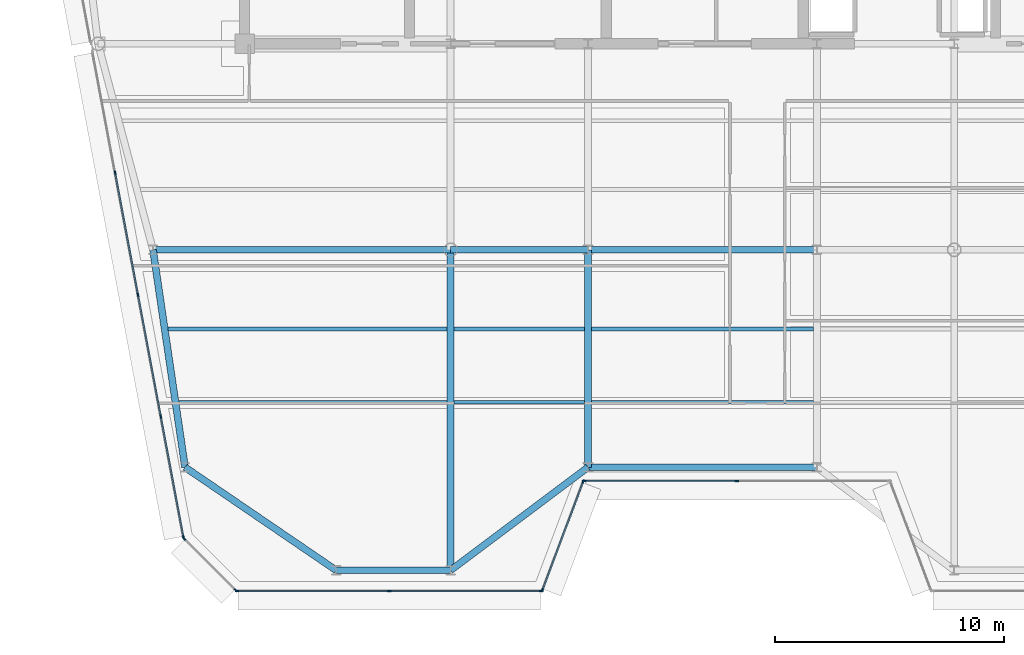
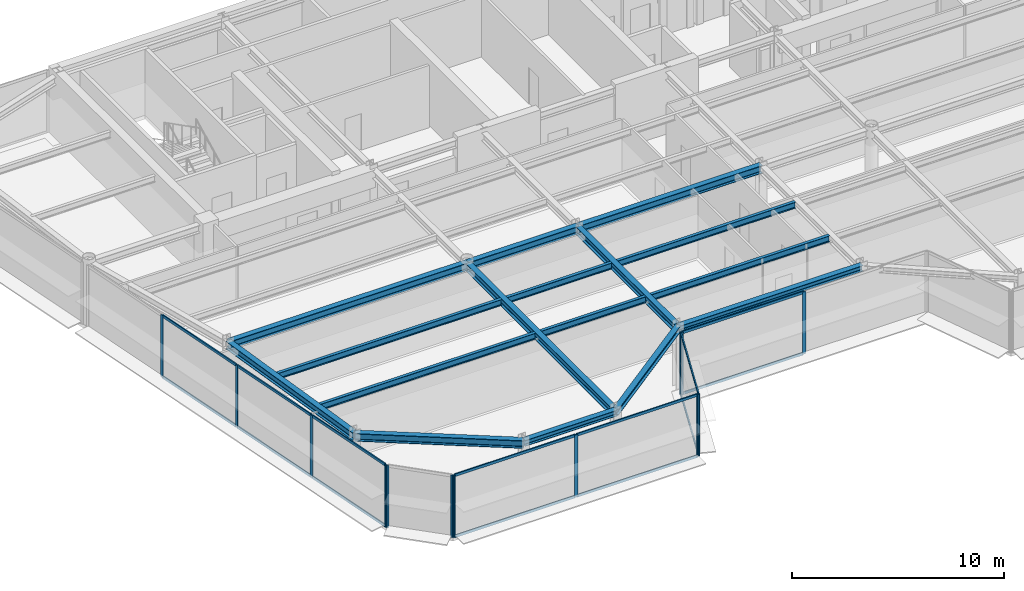
# One storey, part 3 of 20: 27 members, 16 beams, 5 elements without a shape of their own.
"""IFC4 building model written with IfcOpenShell, lengths in metres."""

from ifc_helpers import new_model, si_unit, direction, frame, origin, origin_2d, place, context, subcontext, project, spatial, rectangle, i_section, extrude, source, transform, mapped, material, layer, layer_set, material_profile, profile_set, type_object, element, aggregate, save


model = new_model("IFC4")

# Units and contexts
model_context = context("Model", 3, precision=1e-05, world=origin(), true_north=direction((0.0, 1.0)))
body_context = subcontext(model_context, "Body", "Model", "MODEL_VIEW")
ifc_project = project(units=[si_unit("LENGTHUNIT", "METRE"), si_unit("AREAUNIT", "SQUARE_METRE"), si_unit("VOLUMEUNIT", "CUBIC_METRE"), si_unit("PLANEANGLEUNIT", "RADIAN"), si_unit("MASSUNIT", "GRAM", prefix="KILO")], contexts=[model_context])

# Site, building, storey
site_placement = place(None, origin())
site = spatial("IfcSite", under=ifc_project, at=site_placement, CompositionType="ELEMENT")
building_placement = place(site_placement, origin())
building = spatial("IfcBuilding", under=site, at=building_placement, Name="Vaeldorn Concourse Tower", CompositionType="ELEMENT")
storey_placement = place(building_placement, frame((0.0, 0.0, 280.199951171875)))
storey = spatial("IfcBuildingStorey", under=building, at=storey_placement, Name="L72", CompositionType="ELEMENT", Elevation=280.199951171875)

# Beams
ifc_material_1 = material(Name="Steel S355", Category="steel")
ifc_material_profile_1 = material_profile(ifc_material_1, i_section(OverallWidth=0.300048828125, OverallDepth=0.449951171875, WebThickness=0.013916015625, FlangeThickness=0.02587890625, FilletRadius=0.027099609375, at=origin_2d()), Name="HEB 450")
ifc_profile_set_1 = profile_set([ifc_material_profile_1], Name="Steel S355")
beam_type_1 = type_object("IfcBeamType", Name="BM-PG-HEB450", PredefinedType="BEAM", material=ifc_profile_set_1)
shared_shape_1 = source(origin(), body_context, "Body", "SweptSolid", [
    extrude(i_section(OverallWidth=0.300048828125, OverallDepth=0.449951171875, WebThickness=0.013916015625, FlangeThickness=0.02587890625, FilletRadius=0.027099609375, at=origin_2d()), origin(), (0.0, 0.0, 1.0), 6.0),
])
beam_1_placement = place(storey_placement, frame((23.0, 27.5, 3.35498046875), z_axis=(1.0, 0.0, 0.0), x_axis=(0.0, 1.0, 0.0)))
element("IfcBeam", 1, at=beam_1_placement, inside=storey, type_object=beam_type_1, Name="Beam BM-L72-C-TW1-C-TW2", PredefinedType="BEAM", context=body_context, shape_type="MappedRepresentation", body=[
    mapped(shared_shape_1, transform((0.0, 0.0, 0.0), scale=1.0)),
])
shared_shape_2 = source(origin(), body_context, "Body", "SweptSolid", [
    extrude(i_section(OverallWidth=0.300048828125, OverallDepth=0.449951171875, WebThickness=0.013916015625, FlangeThickness=0.02587890625, FilletRadius=0.027099609375, at=origin_2d()), origin(), (0.0, 0.0, 1.0), 10.0),
])
beam_2_placement = place(storey_placement, frame((29.0, 27.5, 3.35498046875), z_axis=(1.0, 0.0, 0.0), x_axis=(0.0, 1.0, 0.0)))
element("IfcBeam", 2, at=beam_2_placement, inside=storey, type_object=beam_type_1, Name="Beam BM-L72-C-TW2-C-TW3", PredefinedType="BEAM", context=body_context, shape_type="MappedRepresentation", body=[
    mapped(shared_shape_2, transform((0.0, 0.0, 0.0), scale=1.0)),
])
ifc_material_profile_2 = material_profile(ifc_material_1, i_section(OverallWidth=0.169921875, OverallDepth=0.360107421875, WebThickness=0.008056640625, FlangeThickness=0.0126953125, FilletRadius=0.01806640625, at=origin_2d()), Name="IPE 360")
ifc_profile_set_2 = profile_set([ifc_material_profile_2], Name="Steel S355")
beam_type_2 = type_object("IfcBeamType", Name="BM-JS-IPE360", PredefinedType="JOIST", material=ifc_profile_set_2)
shared_shape_3 = source(origin(), body_context, "Body", "SweptSolid", [
    extrude(i_section(OverallWidth=0.169921875, OverallDepth=0.360107421875, WebThickness=0.008056640625, FlangeThickness=0.0126953125, FilletRadius=0.01806640625, at=origin_2d()), origin(), (0.0, 0.0, 1.0), 5.7001953125),
])
for number, where, z_axis, x_axis, name in (
    (3, (23.14990234375, 20.840087890625, 3.400146484375), (1.0, 0.0, 0.0), (0.0, 1.0, 0.0), "Beam JS-L72-W2-208"),
    (4, (23.14990234375, 24.0400390625, 3.400146484375), (1.0, 0.0, 0.0), (0.0, 1.0, 0.0), "Beam JS-L72-W2-240"),
):
    element("IfcBeam", number, at=place(storey_placement, frame(where, z_axis=z_axis, x_axis=x_axis)), inside=storey, type_object=beam_type_2, Name=name, PredefinedType="JOIST", context=body_context, shape_type="MappedRepresentation", body=[
        mapped(shared_shape_3, transform((0.0, 0.0, 0.0), scale=1.0)),
    ])
shared_shape_4 = source(origin(), body_context, "Body", "SweptSolid", [
    extrude(i_section(OverallWidth=0.169921875, OverallDepth=0.360107421875, WebThickness=0.008056640625, FlangeThickness=0.0126953125, FilletRadius=0.01806640625, at=origin_2d()), origin(), (0.0, 0.0, 1.0), 9.7001953125),
])
for number, where, z_axis, x_axis, name in (
    (5, (29.14990234375, 20.840087890625, 3.400146484375), (1.0, 0.0, 0.0), (0.0, 1.0, 0.0), "Beam JS-L72-C-208"),
    (6, (29.14990234375, 24.0400390625, 3.400146484375), (1.0, 0.0, 0.0), (0.0, 1.0, 0.0), "Beam JS-L72-C-240"),
):
    element("IfcBeam", number, at=place(storey_placement, frame(where, z_axis=z_axis, x_axis=x_axis)), inside=storey, type_object=beam_type_2, Name=name, PredefinedType="JOIST", context=body_context, shape_type="MappedRepresentation", body=[
        mapped(shared_shape_4, transform((0.0, 0.0, 0.0), scale=1.0)),
    ])
ifc_material_profile_3 = material_profile(ifc_material_1, i_section(OverallWidth=0.300048828125, OverallDepth=0.340087890625, WebThickness=0.011962890625, FlangeThickness=0.021484375, FilletRadius=0.027099609375, at=origin_2d()), Name="HEB 340")
ifc_profile_set_3 = profile_set([ifc_material_profile_3], Name="Steel S355")
beam_type_3 = type_object("IfcBeamType", Name="BM-SP-HEB340", PredefinedType="SPANDREL", material=ifc_profile_set_3)
shared_shape_5 = source(origin(), body_context, "Body", "SweptSolid", [
    extrude(i_section(OverallWidth=0.300048828125, OverallDepth=0.340087890625, WebThickness=0.011962890625, FlangeThickness=0.021484375, FilletRadius=0.027099609375, at=origin_2d()), origin(), (0.0, 0.0, 1.0), 5.0),
])
beam_3_placement = place(storey_placement, frame((18.0, 13.5, 3.41015625), z_axis=(1.0, 0.0, 0.0), x_axis=(0.0, 1.0, 0.0)))
element("IfcBeam", 7, at=beam_3_placement, inside=storey, type_object=beam_type_3, Name="Beam BM-L72-C-SF1-C-SF2", PredefinedType="SPANDREL", context=body_context, shape_type="MappedRepresentation", body=[
    mapped(shared_shape_5, transform((0.0, 0.0, 0.0), scale=1.0)),
])
shared_shape_6 = source(origin(), body_context, "Body", "SweptSolid", [
    extrude(i_section(OverallWidth=0.300048828125, OverallDepth=0.340087890625, WebThickness=0.011962890625, FlangeThickness=0.021484375, FilletRadius=0.027099609375, at=origin_2d()), origin(), (0.0, 0.0, 1.0), 7.5),
])
beam_4_placement = place(storey_placement, frame((23.0, 13.5, 3.41015625), z_axis=(0.8, 0.6, 0.0), x_axis=(-0.6, 0.8, 0.0)))
element("IfcBeam", 8, at=beam_4_placement, inside=storey, type_object=beam_type_3, Name="Beam BM-L72-C-SF2-C-SF3", PredefinedType="SPANDREL", context=body_context, shape_type="MappedRepresentation", body=[
    mapped(shared_shape_6, transform((0.0, 0.0, 0.0), scale=1.0)),
])
shared_shape_7 = source(origin(), body_context, "Body", "SweptSolid", [
    extrude(i_section(OverallWidth=0.300048828125, OverallDepth=0.340087890625, WebThickness=0.011962890625, FlangeThickness=0.021484375, FilletRadius=0.027099609375, at=origin_2d()), origin(), (0.0, 0.0, 1.0), 10.0),
])
beam_5_placement = place(storey_placement, frame((29.0, 18.0, 3.41015625), z_axis=(1.0, 0.0, 0.0), x_axis=(0.0, 1.0, 0.0)))
element("IfcBeam", 9, at=beam_5_placement, inside=storey, type_object=beam_type_3, Name="Beam BM-L72-C-SF3-C-SF4", PredefinedType="SPANDREL", context=body_context, shape_type="MappedRepresentation", body=[
    mapped(shared_shape_7, transform((0.0, 0.0, 0.0), scale=1.0)),
])
shared_shape_8 = source(origin(), body_context, "Body", "SweptSolid", [
    extrude(i_section(OverallWidth=0.300048828125, OverallDepth=0.449951171875, WebThickness=0.013916015625, FlangeThickness=0.02587890625, FilletRadius=0.027099609375, at=origin_2d()), origin(), (0.0, 0.0, 1.0), 14.0),
])
beam_6_placement = place(storey_placement, frame((23.0, 13.5, 3.35498046875), z_axis=(0.0, 1.0, 0.0), x_axis=(-1.0, 0.0, 0.0)))
element("IfcBeam", 10, at=beam_6_placement, inside=storey, type_object=beam_type_1, Name="Beam BM-L72-C-SF2-C-TW1", PredefinedType="BEAM", context=body_context, shape_type="MappedRepresentation", body=[
    mapped(shared_shape_8, transform((0.0, 0.0, 0.0), scale=1.0)),
])
shared_shape_9 = source(origin(), body_context, "Body", "SweptSolid", [
    extrude(i_section(OverallWidth=0.300048828125, OverallDepth=0.449951171875, WebThickness=0.013916015625, FlangeThickness=0.02587890625, FilletRadius=0.027099609375, at=origin_2d()), origin(), (0.0, 0.0, 1.0), 13.0),
])
beam_7_placement = place(storey_placement, frame((10.0, 27.5, 3.35498046875), z_axis=(1.0, 0.0, 0.0), x_axis=(0.0, 1.0, 0.0)))
element("IfcBeam", 11, at=beam_7_placement, inside=storey, type_object=beam_type_1, Name="Beam BM-L72-C-FLW1-C-TW1", PredefinedType="BEAM", context=body_context, shape_type="MappedRepresentation", body=[
    mapped(shared_shape_9, transform((0.0, 0.0, 0.0), scale=1.0)),
])
shared_shape_10 = source(origin(), body_context, "Body", "SweptSolid", [
    extrude(i_section(OverallWidth=0.300048828125, OverallDepth=0.449951171875, WebThickness=0.013916015625, FlangeThickness=0.02587890625, FilletRadius=0.027099609375, at=origin_2d()), origin(), (0.0, 0.0, 1.0), 9.6025390625),
])
beam_8_placement = place(storey_placement, frame((10.0, 27.5, 3.35498046875), z_axis=(0.145783835977, -0.989316467652, 0.0), x_axis=(0.989316467652, 0.145783835977, 0.0)))
element("IfcBeam", 12, at=beam_8_placement, inside=storey, type_object=beam_type_1, Name="Beam BM-L72-C-FLW1-C-FLW2", PredefinedType="BEAM", context=body_context, shape_type="MappedRepresentation", body=[
    mapped(shared_shape_10, transform((0.0, 0.0, 0.0), scale=1.0)),
])
shared_shape_11 = source(origin(), body_context, "Body", "SweptSolid", [
    extrude(i_section(OverallWidth=0.300048828125, OverallDepth=0.449951171875, WebThickness=0.013916015625, FlangeThickness=0.02587890625, FilletRadius=0.027099609375, at=origin_2d()), origin(), (0.0, 0.0, 1.0), 7.98828125),
])
beam_9_placement = place(storey_placement, frame((18.0, 13.5, 3.35498046875), z_axis=(-0.826231222393, 0.56333113454, 0.0), x_axis=(-0.56333113454, -0.826231222393, 0.0)))
element("IfcBeam", 13, at=beam_9_placement, inside=storey, type_object=beam_type_1, Name="Beam BM-L72-C-SF1-C-FLW2", PredefinedType="BEAM", context=body_context, shape_type="MappedRepresentation", body=[
    mapped(shared_shape_11, transform((0.0, 0.0, 0.0), scale=1.0)),
])
shared_shape_12 = source(origin(), body_context, "Body", "SweptSolid", [
    extrude(i_section(OverallWidth=0.300048828125, OverallDepth=0.449951171875, WebThickness=0.013916015625, FlangeThickness=0.02587890625, FilletRadius=0.027099609375, at=origin_2d()), origin(), (0.0, 0.0, 1.0), 9.5),
])
beam_10_placement = place(storey_placement, frame((29.0, 18.0, 3.35498046875), z_axis=(0.0, 1.0, 0.0), x_axis=(-1.0, 0.0, 0.0)))
element("IfcBeam", 14, at=beam_10_placement, inside=storey, type_object=beam_type_1, Name="Beam BM-L72-C-SF3-C-TW2", PredefinedType="BEAM", context=body_context, shape_type="MappedRepresentation", body=[
    mapped(shared_shape_12, transform((0.0, 0.0, 0.0), scale=1.0)),
])
shared_shape_13 = source(origin(), body_context, "Body", "SweptSolid", [
    extrude(i_section(OverallWidth=0.169921875, OverallDepth=0.360107421875, WebThickness=0.008056640625, FlangeThickness=0.0126953125, FilletRadius=0.01806640625, at=origin_2d()), origin(), (0.0, 0.0, 1.0), 11.718505859375),
])
beam_11_placement = place(storey_placement, frame((11.131591796875, 20.840087890625, 3.400146484375), z_axis=(1.0, 0.0, 0.0), x_axis=(0.0, 1.0, 0.0)))
element("IfcBeam", 15, at=beam_11_placement, inside=storey, type_object=beam_type_2, Name="Beam JS-L72-W1-208", PredefinedType="JOIST", context=body_context, shape_type="MappedRepresentation", body=[
    mapped(shared_shape_13, transform((0.0, 0.0, 0.0), scale=1.0)),
])
shared_shape_14 = source(origin(), body_context, "Body", "SweptSolid", [
    extrude(i_section(OverallWidth=0.169921875, OverallDepth=0.360107421875, WebThickness=0.008056640625, FlangeThickness=0.0126953125, FilletRadius=0.01806640625, at=origin_2d()), origin(), (0.0, 0.0, 1.0), 12.190185546875),
])
beam_12_placement = place(storey_placement, frame((10.659912109375, 24.0400390625, 3.400146484375), z_axis=(1.0, 0.0, 0.0), x_axis=(0.0, 1.0, 0.0)))
element("IfcBeam", 16, at=beam_12_placement, inside=storey, type_object=beam_type_2, Name="Beam JS-L72-W1-240", PredefinedType="JOIST", context=body_context, shape_type="MappedRepresentation", body=[
    mapped(shared_shape_14, transform((0.0, 0.0, 0.0), scale=1.0)),
])

# Curtain wall, members
ifc_material_2 = material(Name="Anodised Bronze Aluminium", Category="aluminium")
ifc_layer = layer(ifc_material_2, 0.179931640625)
ifc_layer_set = layer_set([ifc_layer], Name="Anodised Bronze Aluminium")
curtain_wall_type = type_object("IfcCurtainWallType", Name="CW-SYS-05", PredefinedType="NOTDEFINED", material=ifc_layer_set)
curtain_wall_1_placement = place(storey_placement, origin())
curtain_wall_1 = element("IfcCurtainWall", 17, at=curtain_wall_1_placement, inside=storey, type_object=curtain_wall_type, Name="Unitised Curtain Wall CW-L72-E02-1", PredefinedType="NOTDEFINED")
ifc_material_profile_4 = material_profile(ifc_material_2, rectangle(XDim=0.06494140625, YDim=0.14990234375, at=origin_2d()), Name="CWT 65x150")
ifc_profile_set_4 = profile_set([ifc_material_profile_4], Name="Anodised Bronze Aluminium")
member_type_1 = type_object("IfcMemberType", Name="CWT-BRONZE-150", PredefinedType="USERDEFINED", material=ifc_profile_set_4)
shared_shape_15 = source(origin(), body_context, "Body", "SweptSolid", [
    extrude(rectangle(XDim=0.06494140625, YDim=0.14990234375, at=origin_2d()), origin(), (0.0, 0.0, 1.0), 4.996337890625),
])
member_1_placement = place(storey_placement, frame((27.022705078125, 12.660888671875, 0.032470703125), z_axis=(0.351134151405, 0.936325161318, 0.0), x_axis=(-0.936325161318, 0.351134151405, 0.0)))
member_1 = element("IfcMember", 18, at=member_1_placement, type_object=member_type_1, Name="CW-05 transom 1.1", ObjectType="TRANSOM", PredefinedType="USERDEFINED", context=body_context, shape_type="MappedRepresentation", body=[
    mapped(shared_shape_15, transform((0.0, 0.0, 0.0), scale=1.0)),
])
member_2_placement = place(storey_placement, frame((27.022705078125, 12.660888671875, 3.547607421875), z_axis=(0.351134151405, 0.936325161318, 0.0), x_axis=(-0.936325161318, 0.351134151405, 0.0)))
member_2 = element("IfcMember", 19, at=member_2_placement, type_object=member_type_1, Name="CW-05 transom 1.2", ObjectType="TRANSOM", PredefinedType="USERDEFINED", context=body_context, shape_type="MappedRepresentation", body=[
    mapped(shared_shape_15, transform((0.0, 0.0, 0.0), scale=1.0)),
])

curtain_wall_2_placement = place(storey_placement, origin())
curtain_wall_2 = element("IfcCurtainWall", 20, at=curtain_wall_2_placement, inside=storey, type_object=curtain_wall_type, Name="Unitised Curtain Wall CW-L72-E03-1", PredefinedType="NOTDEFINED")
shared_shape_16 = source(origin(), body_context, "Body", "SweptSolid", [
    extrude(rectangle(XDim=0.06494140625, YDim=0.14990234375, at=origin_2d()), origin(), (0.0, 0.0, 1.0), 6.6025390625),
])
member_3_placement = place(storey_placement, frame((28.864990234375, 17.39990234375, 0.032470703125), z_axis=(1.0, 0.0, 0.0), x_axis=(0.0, 1.0, 0.0)))
member_3 = element("IfcMember", 21, at=member_3_placement, type_object=member_type_1, Name="CW-05 transom 1.1", ObjectType="TRANSOM", PredefinedType="USERDEFINED", context=body_context, shape_type="MappedRepresentation", body=[
    mapped(shared_shape_16, transform((0.0, 0.0, 0.0), scale=1.0)),
])
member_4_placement = place(storey_placement, frame((28.864990234375, 17.39990234375, 3.547607421875), z_axis=(1.0, 0.0, 0.0), x_axis=(0.0, 1.0, 0.0)))
member_4 = element("IfcMember", 22, at=member_4_placement, type_object=member_type_1, Name="CW-05 transom 1.2", ObjectType="TRANSOM", PredefinedType="USERDEFINED", context=body_context, shape_type="MappedRepresentation", body=[
    mapped(shared_shape_16, transform((0.0, 0.0, 0.0), scale=1.0)),
])

curtain_wall_3_placement = place(storey_placement, origin())
curtain_wall_3 = element("IfcCurtainWall", 23, at=curtain_wall_3_placement, inside=storey, type_object=curtain_wall_type, Name="Unitised Curtain Wall CW-L72-E01-1", PredefinedType="NOTDEFINED")
ifc_material_profile_5 = material_profile(ifc_material_2, rectangle(XDim=0.06494140625, YDim=0.169921875, at=origin_2d()), Name="CWM 65x170")
ifc_profile_set_5 = profile_set([ifc_material_profile_5], Name="Anodised Bronze Aluminium")
member_type_2 = type_object("IfcMemberType", Name="CWM-BRONZE-170", PredefinedType="MULLION", material=ifc_profile_set_5)
shared_shape_17 = source(origin(), body_context, "Body", "SweptSolid", [
    extrude(rectangle(XDim=0.06494140625, YDim=0.169921875, at=origin_2d()), origin(), (0.0, 0.0, 1.0), 3.580078125),
])
member_5_placement = place(storey_placement, frame((13.66845703125, 12.60009765625, 0.0), z_axis=(0.0, 0.0, 1.0), x_axis=(0.0, 1.0, 0.0)))
member_5 = element("IfcMember", 24, at=member_5_placement, type_object=member_type_2, Name="CW-05 mullion 1", PredefinedType="MULLION", context=body_context, shape_type="MappedRepresentation", body=[
    mapped(shared_shape_17, transform((0.0, 0.0, 0.0), scale=1.0)),
])
member_6_placement = place(storey_placement, frame((20.318115234375, 12.60009765625, 0.0), z_axis=(0.0, 0.0, 1.0), x_axis=(0.0, 1.0, 0.0)))
member_6 = element("IfcMember", 25, at=member_6_placement, type_object=member_type_2, Name="CW-05 mullion 2", PredefinedType="MULLION", context=body_context, shape_type="MappedRepresentation", body=[
    mapped(shared_shape_17, transform((0.0, 0.0, 0.0), scale=1.0)),
])
member_7_placement = place(storey_placement, frame((26.967529296875, 12.60009765625, 0.0), z_axis=(0.0, 0.0, 1.0), x_axis=(0.0, 1.0, 0.0)))
member_7 = element("IfcMember", 26, at=member_7_placement, type_object=member_type_2, Name="CW-05 mullion 3", PredefinedType="MULLION", context=body_context, shape_type="MappedRepresentation", body=[
    mapped(shared_shape_17, transform((0.0, 0.0, 0.0), scale=1.0)),
])

# Member
member_8_placement = place(storey_placement, frame((27.011474609375, 12.63037109375, 0.0), z_axis=(0.0, 0.0, 1.0), x_axis=(-0.936329177566, 0.351123441595, 0.0)))
member_8 = element("IfcMember", 27, at=member_8_placement, type_object=member_type_2, Name="CW-05 mullion 1", PredefinedType="MULLION", context=body_context, shape_type="MappedRepresentation", body=[
    mapped(shared_shape_17, transform((0.0, 0.0, 0.0), scale=1.0)),
])

member_9_placement = place(storey_placement, frame((28.78857421875, 17.36962890625, 0.0), z_axis=(0.0, 0.0, 1.0), x_axis=(-0.936329177566, 0.351123441595, 0.0)))
member_9 = element("IfcMember", 28, at=member_9_placement, type_object=member_type_2, Name="CW-05 mullion 2", PredefinedType="MULLION", context=body_context, shape_type="MappedRepresentation", body=[
    mapped(shared_shape_17, transform((0.0, 0.0, 0.0), scale=1.0)),
])

aggregate(curtain_wall_1, [member_8, member_9, member_1, member_2])

member_10_placement = place(storey_placement, frame((28.83251953125, 17.39990234375, 0.0), z_axis=(0.0, 0.0, 1.0), x_axis=(0.0, 1.0, 0.0)))
member_10 = element("IfcMember", 29, at=member_10_placement, type_object=member_type_2, Name="CW-05 mullion 1", PredefinedType="MULLION", context=body_context, shape_type="MappedRepresentation", body=[
    mapped(shared_shape_17, transform((0.0, 0.0, 0.0), scale=1.0)),
])

member_11_placement = place(storey_placement, frame((35.5, 17.39990234375, 0.0), z_axis=(0.0, 0.0, 1.0), x_axis=(0.0, 1.0, 0.0)))
member_11 = element("IfcMember", 30, at=member_11_placement, type_object=member_type_2, Name="CW-05 mullion 2", PredefinedType="MULLION", context=body_context, shape_type="MappedRepresentation", body=[
    mapped(shared_shape_17, transform((0.0, 0.0, 0.0), scale=1.0)),
])

aggregate(curtain_wall_2, [member_10, member_11, member_3, member_4])

# Curtain wall, members
curtain_wall_4_placement = place(storey_placement, origin())
curtain_wall_4 = element("IfcCurtainWall", 31, at=curtain_wall_4_placement, inside=storey, type_object=curtain_wall_type, Name="Unitised Curtain Wall CW-L72-E11-2", PredefinedType="NOTDEFINED")
member_12_placement = place(storey_placement, frame((8.343505859375, 30.86376953125, 0.0), z_axis=(0.0, 0.0, 1.0), x_axis=(0.982880027444, 0.184246714088, 0.0)))
member_12 = element("IfcMember", 32, at=member_12_placement, type_object=member_type_2, Name="CW-05 mullion 2", PredefinedType="MULLION", context=body_context, shape_type="MappedRepresentation", body=[
    mapped(shared_shape_17, transform((0.0, 0.0, 0.0), scale=1.0)),
])
member_13_placement = place(storey_placement, frame((9.341064453125, 25.54248046875, 0.0), z_axis=(0.0, 0.0, 1.0), x_axis=(0.982880027444, 0.184246714088, 0.0)))
member_13 = element("IfcMember", 33, at=member_13_placement, type_object=member_type_2, Name="CW-05 mullion 3", PredefinedType="MULLION", context=body_context, shape_type="MappedRepresentation", body=[
    mapped(shared_shape_17, transform((0.0, 0.0, 0.0), scale=1.0)),
])
member_14_placement = place(storey_placement, frame((10.33837890625, 20.22119140625, 0.0), z_axis=(0.0, 0.0, 1.0), x_axis=(0.982880027444, 0.184246714088, 0.0)))
member_14 = element("IfcMember", 34, at=member_14_placement, type_object=member_type_2, Name="CW-05 mullion 4", PredefinedType="MULLION", context=body_context, shape_type="MappedRepresentation", body=[
    mapped(shared_shape_17, transform((0.0, 0.0, 0.0), scale=1.0)),
])
member_15_placement = place(storey_placement, frame((11.330078125, 14.931884765625, 0.0), z_axis=(0.0, 0.0, 1.0), x_axis=(0.982880027444, 0.184246714088, 0.0)))
member_15 = element("IfcMember", 35, at=member_15_placement, type_object=member_type_2, Name="CW-05 mullion 5", PredefinedType="MULLION", context=body_context, shape_type="MappedRepresentation", body=[
    mapped(shared_shape_17, transform((0.0, 0.0, 0.0), scale=1.0)),
])

curtain_wall_5_placement = place(storey_placement, origin())
curtain_wall_5 = element("IfcCurtainWall", 36, at=curtain_wall_5_placement, inside=storey, type_object=curtain_wall_type, Name="Unitised Curtain Wall CW-L72-E12-1", PredefinedType="NOTDEFINED")
member_16_placement = place(storey_placement, frame((11.35888671875, 14.876953125, 0.0), z_axis=(0.0, 0.0, 1.0), x_axis=(0.707106781187, 0.707106781187, 0.0)))
member_16 = element("IfcMember", 37, at=member_16_placement, type_object=member_type_2, Name="CW-05 mullion 1", PredefinedType="MULLION", context=body_context, shape_type="MappedRepresentation", body=[
    mapped(shared_shape_17, transform((0.0, 0.0, 0.0), scale=1.0)),
])
member_17_placement = place(storey_placement, frame((13.613037109375, 12.623046875, 0.0), z_axis=(0.0, 0.0, 1.0), x_axis=(0.707106781187, 0.707106781187, 0.0)))
member_17 = element("IfcMember", 38, at=member_17_placement, type_object=member_type_2, Name="CW-05 mullion 2", PredefinedType="MULLION", context=body_context, shape_type="MappedRepresentation", body=[
    mapped(shared_shape_17, transform((0.0, 0.0, 0.0), scale=1.0)),
])
aggregate(curtain_wall_5, [member_16, member_17])

# Member
shared_shape_18 = source(origin(), body_context, "Body", "SweptSolid", [
    extrude(rectangle(XDim=0.06494140625, YDim=0.14990234375, at=origin_2d()), origin(), (0.0, 0.0, 1.0), 5.31640625),
])
member_18_placement = place(storey_placement, frame((10.344482421875, 20.189208984375, 0.032470703125), z_axis=(0.184241399207, -0.982881023735, 0.0), x_axis=(0.982881023735, 0.184241399207, 0.0)))
member_18 = element("IfcMember", 39, at=member_18_placement, type_object=member_type_1, Name="CW-05 transom 4.1", ObjectType="TRANSOM", PredefinedType="USERDEFINED", context=body_context, shape_type="MappedRepresentation", body=[
    mapped(shared_shape_18, transform((0.0, 0.0, 0.0), scale=1.0)),
])

member_19_placement = place(storey_placement, frame((10.344482421875, 20.189208984375, 3.547607421875), z_axis=(0.184241399207, -0.982881023735, 0.0), x_axis=(0.982881023735, 0.184241399207, 0.0)))
member_19 = element("IfcMember", 40, at=member_19_placement, type_object=member_type_1, Name="CW-05 transom 4.2", ObjectType="TRANSOM", PredefinedType="USERDEFINED", context=body_context, shape_type="MappedRepresentation", body=[
    mapped(shared_shape_18, transform((0.0, 0.0, 0.0), scale=1.0)),
])

shared_shape_19 = source(origin(), body_context, "Body", "SweptSolid", [
    extrude(rectangle(XDim=0.06494140625, YDim=0.14990234375, at=origin_2d()), origin(), (0.0, 0.0, 1.0), 5.348876953125),
])
member_20_placement = place(storey_placement, frame((8.349609375, 30.831787109375, 0.032470703125), z_axis=(0.184216882988, -0.982885618993, 0.0), x_axis=(0.982885618993, 0.184216882988, 0.0)))
member_20 = element("IfcMember", 41, at=member_20_placement, type_object=member_type_1, Name="CW-05 transom 2.1", ObjectType="TRANSOM", PredefinedType="USERDEFINED", context=body_context, shape_type="MappedRepresentation", body=[
    mapped(shared_shape_19, transform((0.0, 0.0, 0.0), scale=1.0)),
])

member_21_placement = place(storey_placement, frame((8.349609375, 30.831787109375, 3.547607421875), z_axis=(0.184216882988, -0.982885618993, 0.0), x_axis=(0.982885618993, 0.184216882988, 0.0)))
member_21 = element("IfcMember", 42, at=member_21_placement, type_object=member_type_1, Name="CW-05 transom 2.2", ObjectType="TRANSOM", PredefinedType="USERDEFINED", context=body_context, shape_type="MappedRepresentation", body=[
    mapped(shared_shape_19, transform((0.0, 0.0, 0.0), scale=1.0)),
])

member_22_placement = place(storey_placement, frame((9.346923828125, 25.510498046875, 0.032470703125), z_axis=(0.184260976912, -0.982877353685, 0.0), x_axis=(0.982877353685, 0.184260976912, 0.0)))
member_22 = element("IfcMember", 43, at=member_22_placement, type_object=member_type_1, Name="CW-05 transom 3.1", ObjectType="TRANSOM", PredefinedType="USERDEFINED", context=body_context, shape_type="MappedRepresentation", body=[
    mapped(shared_shape_19, transform((0.0, 0.0, 0.0), scale=1.0)),
])

member_23_placement = place(storey_placement, frame((9.346923828125, 25.510498046875, 3.547607421875), z_axis=(0.184260976912, -0.982877353685, 0.0), x_axis=(0.982877353685, 0.184260976912, 0.0)))
member_23 = element("IfcMember", 44, at=member_23_placement, type_object=member_type_1, Name="CW-05 transom 3.2", ObjectType="TRANSOM", PredefinedType="USERDEFINED", context=body_context, shape_type="MappedRepresentation", body=[
    mapped(shared_shape_19, transform((0.0, 0.0, 0.0), scale=1.0)),
])

aggregate(curtain_wall_4, [member_12, member_13, member_14, member_15, member_20, member_21, member_22, member_23, member_18, member_19])

shared_shape_20 = source(origin(), body_context, "Body", "SweptSolid", [
    extrude(rectangle(XDim=0.06494140625, YDim=0.14990234375, at=origin_2d()), origin(), (0.0, 0.0, 1.0), 6.58447265625),
])
member_24_placement = place(storey_placement, frame((13.700927734375, 12.60009765625, 0.032470703125), z_axis=(1.0, 0.0, 0.0), x_axis=(0.0, 1.0, 0.0)))
member_24 = element("IfcMember", 45, at=member_24_placement, type_object=member_type_1, Name="CW-05 transom 1.1", ObjectType="TRANSOM", PredefinedType="USERDEFINED", context=body_context, shape_type="MappedRepresentation", body=[
    mapped(shared_shape_20, transform((0.0, 0.0, 0.0), scale=1.0)),
])

member_25_placement = place(storey_placement, frame((13.700927734375, 12.60009765625, 3.547607421875), z_axis=(1.0, 0.0, 0.0), x_axis=(0.0, 1.0, 0.0)))
member_25 = element("IfcMember", 46, at=member_25_placement, type_object=member_type_1, Name="CW-05 transom 1.2", ObjectType="TRANSOM", PredefinedType="USERDEFINED", context=body_context, shape_type="MappedRepresentation", body=[
    mapped(shared_shape_20, transform((0.0, 0.0, 0.0), scale=1.0)),
])

member_26_placement = place(storey_placement, frame((20.3505859375, 12.60009765625, 0.032470703125), z_axis=(1.0, 0.0, 0.0), x_axis=(0.0, 1.0, 0.0)))
member_26 = element("IfcMember", 47, at=member_26_placement, type_object=member_type_1, Name="CW-05 transom 2.1", ObjectType="TRANSOM", PredefinedType="USERDEFINED", context=body_context, shape_type="MappedRepresentation", body=[
    mapped(shared_shape_20, transform((0.0, 0.0, 0.0), scale=1.0)),
])

member_27_placement = place(storey_placement, frame((20.3505859375, 12.60009765625, 3.547607421875), z_axis=(1.0, 0.0, 0.0), x_axis=(0.0, 1.0, 0.0)))
member_27 = element("IfcMember", 48, at=member_27_placement, type_object=member_type_1, Name="CW-05 transom 2.2", ObjectType="TRANSOM", PredefinedType="USERDEFINED", context=body_context, shape_type="MappedRepresentation", body=[
    mapped(shared_shape_20, transform((0.0, 0.0, 0.0), scale=1.0)),
])

aggregate(curtain_wall_3, [member_5, member_6, member_7, member_24, member_25, member_26, member_27])

save(model, "model.ifc")
